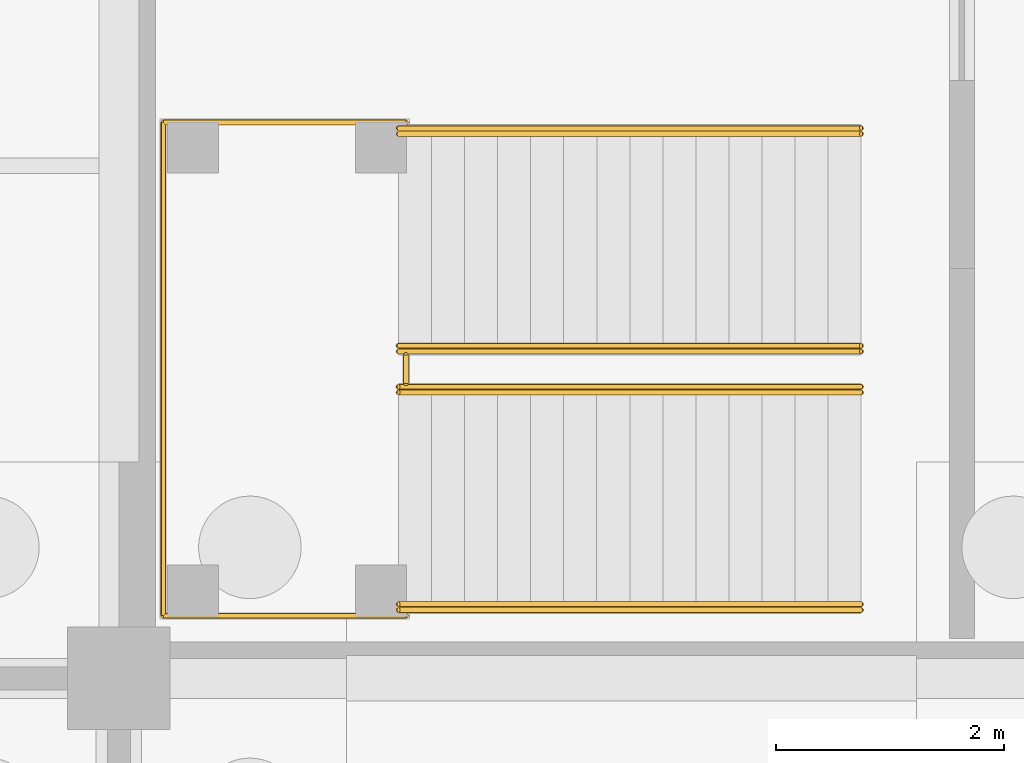
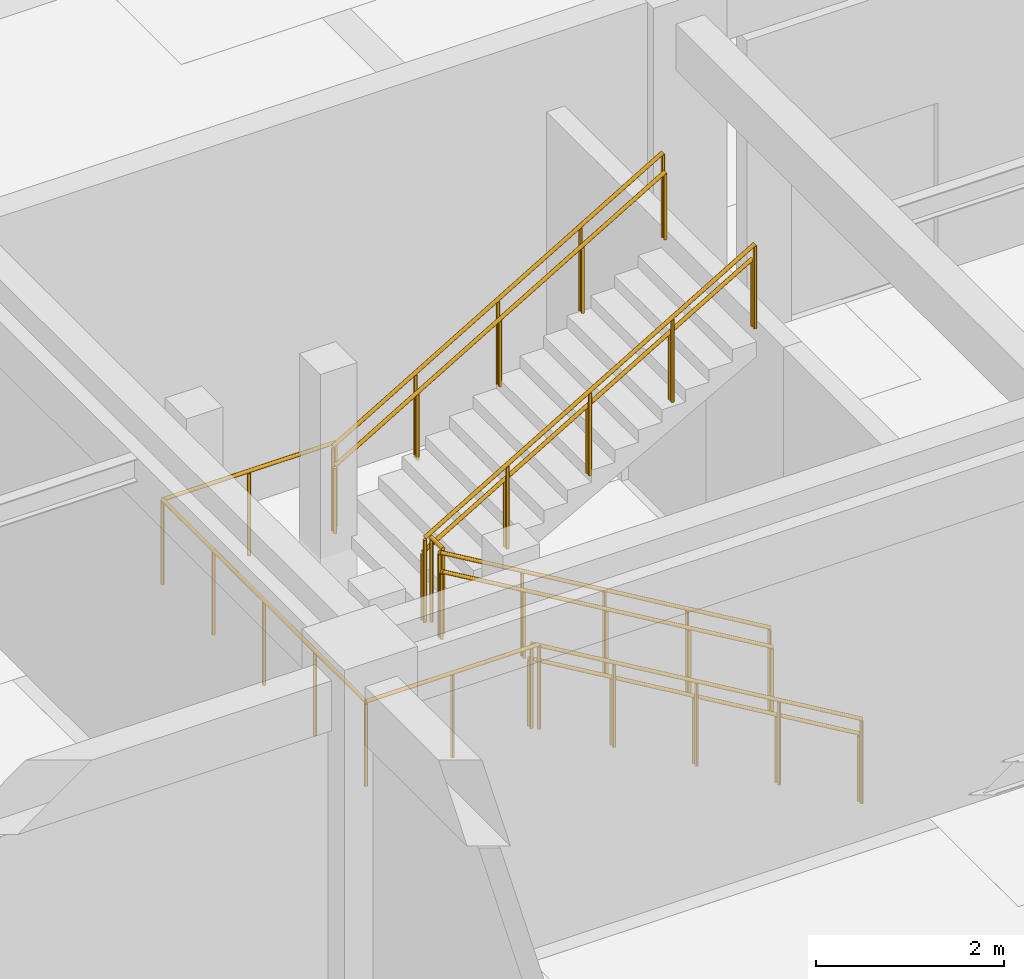
# One storey, part 30 of 33: 10 railings.
"""IFC4 building model written with IfcOpenShell, lengths in metres."""

import ifcopenshell
import ifcopenshell.guid

model = None  # the IFC model being written
_history = None  # IfcOwnerHistory: only IFC2X3 demands one
_inside = {}  # id of a spatial element -> (the spatial element, [elements in it])
_under = {}  # id of a project, library or spatial element -> (it, [spatial elements below it])
_declared = {}  # id of a project -> (the project, [libraries it declares])
_typed = {}  # id of a type object -> (the type object, [elements of that type])
_made_of = {}  # id of a material, layer set ... -> (it, [elements and type objects made of it])


def new_model(schema):
    """Start an empty IFC model of exactly this schema.

    Asked for "IFC4X3", IfcOpenShell would pick the latest addendum, in which some entities
    have other attributes; the version numbers below select the first issue.
    IFC2X3 requires an IfcOwnerHistory on every rooted entity: one is made here for all.
    """
    global model, _history
    if schema == "IFC4X3":
        model = ifcopenshell.file(schema_version=(4, 3, 0, 0))
    else:
        model = ifcopenshell.file(schema=schema)
    _inside.clear()
    _under.clear()
    _declared.clear()
    _typed.clear()
    _made_of.clear()
    _history = None
    if model.schema == "IFC2X3":
        org = make("IfcOrganization", Name="unknown")
        user = make(
            "IfcPersonAndOrganization",
            ThePerson=make("IfcPerson", FamilyName="unknown"),
            TheOrganization=org,
        )
        app = make(
            "IfcApplication",
            ApplicationDeveloper=org,
            Version="unknown",
            ApplicationFullName="unknown",
            ApplicationIdentifier="unknown",
        )
        _history = make(
            "IfcOwnerHistory",
            OwningUser=user,
            OwningApplication=app,
            ChangeAction="ADDED",
            CreationDate=0,
        )
    return model


def make(cls, **values):
    """One entity of the class cls with the attributes given. An attribute that is None is left unset."""
    return model.create_entity(
        cls, **{name: value for name, value in values.items() if value is not None}
    )


def rooted(cls, **values):
    """An entity with a GlobalId (a new one), such as an element, a storey or a relation."""
    return make(cls, GlobalId=ifcopenshell.guid.new(), OwnerHistory=_history, **values)


def si_unit(unit_type, name, prefix=None):
    """IfcSIUnit, for example si_unit("LENGTHUNIT", "METRE", prefix="MILLI")."""
    return make("IfcSIUnit", UnitType=unit_type, Prefix=prefix, Name=name)


def assignment(units):
    """IfcUnitAssignment: the units of a project."""
    return None if units is None else make("IfcUnitAssignment", Units=units)


def point(xyz):
    """IfcCartesianPoint."""
    return None if xyz is None else make("IfcCartesianPoint", Coordinates=xyz)


def direction(xyz):
    """IfcDirection."""
    return None if xyz is None else make("IfcDirection", DirectionRatios=xyz)


def frame(location, z_axis=None, x_axis=None):
    """IfcAxis2Placement3D, a coordinate frame: its origin and axes. An axis left out is left unset."""
    return make(
        "IfcAxis2Placement3D",
        Location=point(location),
        Axis=direction(z_axis),
        RefDirection=direction(x_axis),
    )


def frame_2d(location, x_axis=None):
    """IfcAxis2Placement2D, a coordinate frame in the plane: its origin and x axis."""
    return make(
        "IfcAxis2Placement2D", Location=point(location), RefDirection=direction(x_axis)
    )


def origin():
    """The frame at (0, 0, 0) with its axes left unset."""
    return frame((0.0, 0.0, 0.0))


def origin_2d():
    """The frame at (0, 0) in the plane with its x axis left unset."""
    return frame_2d((0.0, 0.0))


def place(relative_to, where):
    """IfcLocalPlacement: puts the frame where relative to a parent placement (None: the world)."""
    return make(
        "IfcLocalPlacement", PlacementRelTo=relative_to, RelativePlacement=where
    )


def context(
    kind, dimensions, precision=None, world=None, true_north=None, identifier=None
):
    """IfcGeometricRepresentationContext, for example the 3D "Model" context."""
    return make(
        "IfcGeometricRepresentationContext",
        ContextIdentifier=identifier,
        ContextType=kind,
        CoordinateSpaceDimension=dimensions,
        Precision=precision,
        WorldCoordinateSystem=world,
        TrueNorth=true_north,
    )


def subcontext(parent, identifier, kind, view, scale=None):
    """IfcGeometricRepresentationSubContext, for example "Body" below "Model"."""
    return make(
        "IfcGeometricRepresentationSubContext",
        ContextIdentifier=identifier,
        ContextType=kind,
        ParentContext=parent,
        TargetScale=scale,
        TargetView=view,
    )


def project(units=None, contexts=None):
    """IfcProject with its units and contexts."""
    return rooted(
        "IfcProject",
        Name="project",
        RepresentationContexts=contexts,
        UnitsInContext=assignment(units),
    )


def spatial(cls, under=None, at=None, **own):
    """A site, building, storey or space (cls), placed at a placement, below another one or the project."""
    s = rooted(cls, ObjectPlacement=at, **own)
    if under is not None:
        _under.setdefault(under.id(), (under, []))[1].append(s)
    return s


def profile(cls, at=None, kind="AREA", **sizes):
    """A parametric profile (cls). Its sizes go by their IFC names, for example OverallWidth=200.0."""
    return make(cls, ProfileType=kind, Position=at, **sizes)


def circle(**sizes):
    """IfcCircleProfileDef."""
    return profile("IfcCircleProfileDef", **sizes)


def extrude(swept, where, along, depth):
    """IfcExtrudedAreaSolid: the profile swept, set in the frame where, extruded along a direction by depth."""
    return make(
        "IfcExtrudedAreaSolid",
        SweptArea=swept,
        Position=where,
        ExtrudedDirection=direction(along),
        Depth=depth,
    )


def shape(context_of_items, identifier, shape_type, items):
    """IfcShapeRepresentation: the items that make up one representation, for example the "Body"."""
    return make(
        "IfcShapeRepresentation",
        ContextOfItems=context_of_items,
        RepresentationIdentifier=identifier,
        RepresentationType=shape_type,
        Items=items,
    )


def material(Name=None, Category=None):
    """IfcMaterial."""
    return make("IfcMaterial", Name=Name, Category=Category)


def made_of(thing, what):
    """Note that an element or type object is made of a material, layer set ...; save() writes the relation."""
    if what is not None:
        _made_of.setdefault(what.id(), (what, []))[1].append(thing)
    return thing


def type_object(cls, material=None, **own):
    """A type object (cls), such as IfcWallType, which elements share."""
    return made_of(rooted(cls, **own), material)


def element(
    cls,
    number,
    at=None,
    inside=None,
    cuts=None,
    type_object=None,
    material=None,
    context=None,
    identifier="Body",
    shape_type=None,
    held_by="IfcProductDefinitionShape",
    body=None,
    shapes=None,
    **own,
):
    """One element of the class cls, such as IfcWall. Its Tag is "e" and its number.

    at: its placement. inside: the storey or other place that contains it. cuts: it is an
    opening in that element (IfcRelVoidsElement). A single representation is given by context,
    identifier, shape_type and body (its items); several are given by shapes. held_by: the class
    of the entity that holds the representations. save() writes the other relations.
    """
    e = rooted(cls, Tag="e%d" % number, ObjectPlacement=at, **own)
    if body is not None:
        shapes = [shape(context, identifier, shape_type, body)]
    if shapes is not None:
        e.Representation = make(held_by, Representations=shapes)
    if inside is not None:
        _inside.setdefault(inside.id(), (inside, []))[1].append(e)
    if cuts is not None:
        rooted(
            "IfcRelVoidsElement", RelatingBuildingElement=cuts, RelatedOpeningElement=e
        )
    if type_object is not None:
        _typed.setdefault(type_object.id(), (type_object, []))[1].append(e)
    return made_of(e, material)


def aggregate(whole, parts):
    """IfcRelAggregates: a whole, such as a stair, and the parts it consists of."""
    return rooted("IfcRelAggregates", RelatingObject=whole, RelatedObjects=parts)


def save(model, path):
    """Write the relations noted so far, then the file.

    IfcRelAggregates (storeys below a building ...), IfcRelContainedInSpatialStructure (elements
    in a storey), IfcRelDefinesByType, IfcRelAssociatesMaterial and IfcRelDeclares: one each for
    every whole, place, type object, material and project.
    """
    for whole, parts in _under.values():
        aggregate(whole, parts)
    for where, things in _inside.values():
        rooted(
            "IfcRelContainedInSpatialStructure",
            RelatedElements=things,
            RelatingStructure=where,
        )
    for kind, things in _typed.values():
        rooted("IfcRelDefinesByType", RelatedObjects=things, RelatingType=kind)
    for what, things in _made_of.values():
        rooted("IfcRelAssociatesMaterial", RelatedObjects=things, RelatingMaterial=what)
    for by, libraries in _declared.values():
        rooted("IfcRelDeclares", RelatingContext=by, RelatedDefinitions=libraries)
    model.write(path)


model = new_model("IFC4")

# Units and contexts
model_context = context("Model", 3, precision=1e-05, world=origin(), true_north=direction((0.0, 1.0)))
body_context = subcontext(model_context, "Body", "Model", "MODEL_VIEW")
ifc_project = project(units=[si_unit("LENGTHUNIT", "METRE"), si_unit("AREAUNIT", "SQUARE_METRE"), si_unit("VOLUMEUNIT", "CUBIC_METRE"), si_unit("PLANEANGLEUNIT", "RADIAN"), si_unit("MASSUNIT", "GRAM", prefix="KILO")], contexts=[model_context])

# Site, building, storey
site_placement = place(None, origin())
site = spatial("IfcSite", under=ifc_project, at=site_placement, CompositionType="ELEMENT")
building_placement = place(site_placement, origin())
building = spatial("IfcBuilding", under=site, at=building_placement, Name="Suirenkawa Promenade Aquatics Centre", CompositionType="ELEMENT")
storey_placement = place(building_placement, frame((0.0, 0.0, -4.800048828125)))
storey = spatial("IfcBuildingStorey", under=building, at=storey_placement, Name="B1", CompositionType="ELEMENT", Elevation=-4.800048828125)

# Railings
ifc_material = material(Name="Marine-grade stainless steel Grade 316L", Category="steel")
railing_type_1 = type_object("IfcRailingType", Name="RLT-GUARD-1120", PredefinedType="GUARDRAIL", material=ifc_material)
for number, where, name in (
    (1, (15.514892578125, 61.9599609375, 0.0), "Guardrail GRD-01 RL-0051"),
    (2, (15.514892578125, 60.0, 0.0), "Guardrail GRD-01 RL-0053"),
):
    element("IfcRailing", number, at=place(storey_placement, frame(where)), inside=storey, type_object=railing_type_1, Name=name, PredefinedType="GUARDRAIL", context=body_context, shape_type="SweptSolid", body=[
        extrude(circle(Radius=0.02392578125, at=origin_2d()), frame((0.0, 0.0, 1.09619140625), z_axis=(-0.860818299379, 0.0, 0.50891242415), x_axis=(0.0, -1.0, 0.0)), (0.0, 0.0, 1.0), 4.71630859375),
        extrude(circle(Radius=0.02099609375, at=origin_2d()), origin(), (0.0, 0.0, 1.0), 1.072021484375),
        extrude(circle(Radius=0.02099609375, at=origin_2d()), frame((-1.014892578125, 0.0, 0.60009765625)), (0.0, 0.0, 1.0), 1.072021484375),
        extrude(circle(Radius=0.02099609375, at=origin_2d()), frame((-2.02978515625, 0.0, 1.2001953125)), (0.0, 0.0, 1.0), 1.072021484375),
        extrude(circle(Radius=0.02099609375, at=origin_2d()), frame((-3.044921875, 0.0, 1.800048828125)), (0.0, 0.0, 1.0), 1.072021484375),
        extrude(circle(Radius=0.02099609375, at=origin_2d()), frame((-4.059814453125, 0.0, 2.400146484375)), (0.0, 0.0, 1.0), 1.072021484375),
    ])
for number, where, name in (
    (3, (11.455078125, 62.27001953125, 2.400146484375), "Guardrail GRD-01 RL-0055"),
    (4, (11.455078125, 64.22998046875, 2.400146484375), "Guardrail GRD-01 RL-0057"),
):
    element("IfcRailing", number, at=place(storey_placement, frame(where)), inside=storey, type_object=railing_type_1, Name=name, PredefinedType="GUARDRAIL", context=body_context, shape_type="SweptSolid", body=[
        extrude(circle(Radius=0.02392578125, at=origin_2d()), frame((0.0, 0.0, 1.09619140625), z_axis=(0.860840976868, 0.0, 0.508874063541), x_axis=(0.0, 1.0, 0.0)), (0.0, 0.0, 1.0), 4.716064453125),
        extrude(circle(Radius=0.02099609375, at=origin_2d()), origin(), (0.0, 0.0, 1.0), 1.072021484375),
        extrude(circle(Radius=0.02099609375, at=origin_2d()), frame((1.014892578125, 0.0, 0.60009765625)), (0.0, 0.0, 1.0), 1.072021484375),
        extrude(circle(Radius=0.02099609375, at=origin_2d()), frame((2.02978515625, 0.0, 1.199951171875)), (0.0, 0.0, 1.0), 1.072021484375),
        extrude(circle(Radius=0.02099609375, at=origin_2d()), frame((3.044921875, 0.0, 1.7998046875)), (0.0, 0.0, 1.0), 1.072021484375),
        extrude(circle(Radius=0.02099609375, at=origin_2d()), frame((4.059814453125, 0.0, 2.39990234375)), (0.0, 0.0, 1.0), 1.072021484375),
    ])
railing_1_placement = place(storey_placement, frame((11.52001953125, 59.949951171875, 2.400146484375)))
element("IfcRailing", 5, at=railing_1_placement, inside=storey, type_object=railing_type_1, Name="Guardrail GRD-01 RL-0059", PredefinedType="GUARDRAIL", context=body_context, shape_type="SweptSolid", body=[
    extrude(circle(Radius=0.02392578125, at=origin_2d()), frame((0.0, 0.0, 1.09619140625), z_axis=(-1.0, 0.0, 0.0), x_axis=(0.0, -1.0, 0.0)), (0.0, 0.0, 1.0), 2.130126953125),
    extrude(circle(Radius=0.02392578125, at=origin_2d()), frame((-2.130126953125, 0.0, 1.09619140625), z_axis=(0.0, 1.0, 0.0), x_axis=(-1.0, 0.0, 0.0)), (0.0, 0.0, 1.0), 4.330078125),
    extrude(circle(Radius=0.02392578125, at=origin_2d()), frame((-2.130126953125, 4.330078125, 1.09619140625), z_axis=(1.0, 0.0, 0.0), x_axis=(0.0, 1.0, 0.0)), (0.0, 0.0, 1.0), 2.130126953125),
    extrude(circle(Radius=0.02099609375, at=origin_2d()), origin(), (0.0, 0.0, 1.0), 1.072021484375),
    extrude(circle(Radius=0.02099609375, at=origin_2d()), frame((-1.06494140625, 0.0, 0.0)), (0.0, 0.0, 1.0), 1.072021484375),
    extrude(circle(Radius=0.02099609375, at=origin_2d()), frame((-2.130126953125, 0.0, 0.0)), (0.0, 0.0, 1.0), 1.072021484375),
    extrude(circle(Radius=0.02099609375, at=origin_2d()), frame((-2.130126953125, 1.08251953125, 0.0)), (0.0, 0.0, 1.0), 1.072021484375),
    extrude(circle(Radius=0.02099609375, at=origin_2d()), frame((-2.130126953125, 2.1650390625, 0.0)), (0.0, 0.0, 1.0), 1.072021484375),
    extrude(circle(Radius=0.02099609375, at=origin_2d()), frame((-2.130126953125, 3.24755859375, 0.0)), (0.0, 0.0, 1.0), 1.072021484375),
    extrude(circle(Radius=0.02099609375, at=origin_2d()), frame((-2.130126953125, 4.330078125, 0.0)), (0.0, 0.0, 1.0), 1.072021484375),
    extrude(circle(Radius=0.02099609375, at=origin_2d()), frame((-1.06494140625, 4.330078125, 0.0)), (0.0, 0.0, 1.0), 1.072021484375),
    extrude(circle(Radius=0.02099609375, at=origin_2d()), frame((0.0, 4.330078125, 0.0)), (0.0, 0.0, 1.0), 1.072021484375),
])
railing_2_placement = place(storey_placement, frame((11.52001953125, 61.989990234375, 2.400146484375)))
element("IfcRailing", 6, at=railing_2_placement, inside=storey, type_object=railing_type_1, Name="Guardrail GRD-01 RL-0060", PredefinedType="GUARDRAIL", context=body_context, shape_type="SweptSolid", body=[
    extrude(circle(Radius=0.02392578125, at=origin_2d()), frame((0.0, 0.0, 1.09619140625), z_axis=(0.0, 1.0, 0.0), x_axis=(-1.0, 0.0, 0.0)), (0.0, 0.0, 1.0), 0.25),
    extrude(circle(Radius=0.02099609375, at=origin_2d()), origin(), (0.0, 0.0, 1.0), 1.072021484375),
    extrude(circle(Radius=0.02099609375, at=origin_2d()), frame((0.0, 0.25, 0.0)), (0.0, 0.0, 1.0), 1.072021484375),
])
railing_type_2 = type_object("IfcRailingType", Name="RLT-HANDRAIL-900", PredefinedType="HANDRAIL", material=ifc_material)
for number, where, name in (
    (7, (15.514892578125, 61.909912109375, 0.0), "Handrail HRL-01 RL-0052"),
    (8, (15.514892578125, 60.050048828125, 0.0), "Handrail HRL-01 RL-0054"),
):
    element("IfcRailing", number, at=place(storey_placement, frame(where)), inside=storey, type_object=railing_type_2, Name=name, PredefinedType="HANDRAIL", context=body_context, shape_type="SweptSolid", body=[
        extrude(circle(Radius=0.02392578125, at=origin_2d()), frame((0.0, 0.0, 0.8759765625), z_axis=(-0.860818299379, 0.0, 0.50891242415), x_axis=(0.0, -1.0, 0.0)), (0.0, 0.0, 1.0), 4.71630859375),
        extrude(circle(Radius=0.02099609375, at=origin_2d()), origin(), (0.0, 0.0, 1.0), 0.851806640625),
        extrude(circle(Radius=0.02099609375, at=origin_2d()), frame((-1.014892578125, 0.0, 0.60009765625)), (0.0, 0.0, 1.0), 0.851806640625),
        extrude(circle(Radius=0.02099609375, at=origin_2d()), frame((-2.02978515625, 0.0, 1.2001953125)), (0.0, 0.0, 1.0), 0.851806640625),
        extrude(circle(Radius=0.02099609375, at=origin_2d()), frame((-3.044921875, 0.0, 1.800048828125)), (0.0, 0.0, 1.0), 0.851806640625),
        extrude(circle(Radius=0.02099609375, at=origin_2d()), frame((-4.059814453125, 0.0, 2.400146484375)), (0.0, 0.0, 1.0), 0.851806640625),
    ])
for number, where, name in (
    (9, (11.455078125, 62.320068359375, 2.400146484375), "Handrail HRL-01 RL-0056"),
    (10, (11.455078125, 64.179931640625, 2.400146484375), "Handrail HRL-01 RL-0058"),
):
    element("IfcRailing", number, at=place(storey_placement, frame(where)), inside=storey, type_object=railing_type_2, Name=name, PredefinedType="HANDRAIL", context=body_context, shape_type="SweptSolid", body=[
        extrude(circle(Radius=0.02392578125, at=origin_2d()), frame((0.0, 0.0, 0.8759765625), z_axis=(0.860840976868, 0.0, 0.508874063541), x_axis=(0.0, 1.0, 0.0)), (0.0, 0.0, 1.0), 4.716064453125),
        extrude(circle(Radius=0.02099609375, at=origin_2d()), origin(), (0.0, 0.0, 1.0), 0.851806640625),
        extrude(circle(Radius=0.02099609375, at=origin_2d()), frame((1.014892578125, 0.0, 0.60009765625)), (0.0, 0.0, 1.0), 0.851806640625),
        extrude(circle(Radius=0.02099609375, at=origin_2d()), frame((2.02978515625, 0.0, 1.199951171875)), (0.0, 0.0, 1.0), 0.851806640625),
        extrude(circle(Radius=0.02099609375, at=origin_2d()), frame((3.044921875, 0.0, 1.7998046875)), (0.0, 0.0, 1.0), 0.851806640625),
        extrude(circle(Radius=0.02099609375, at=origin_2d()), frame((4.059814453125, 0.0, 2.39990234375)), (0.0, 0.0, 1.0), 0.851806640625),
    ])

save(model, "model.ifc")
